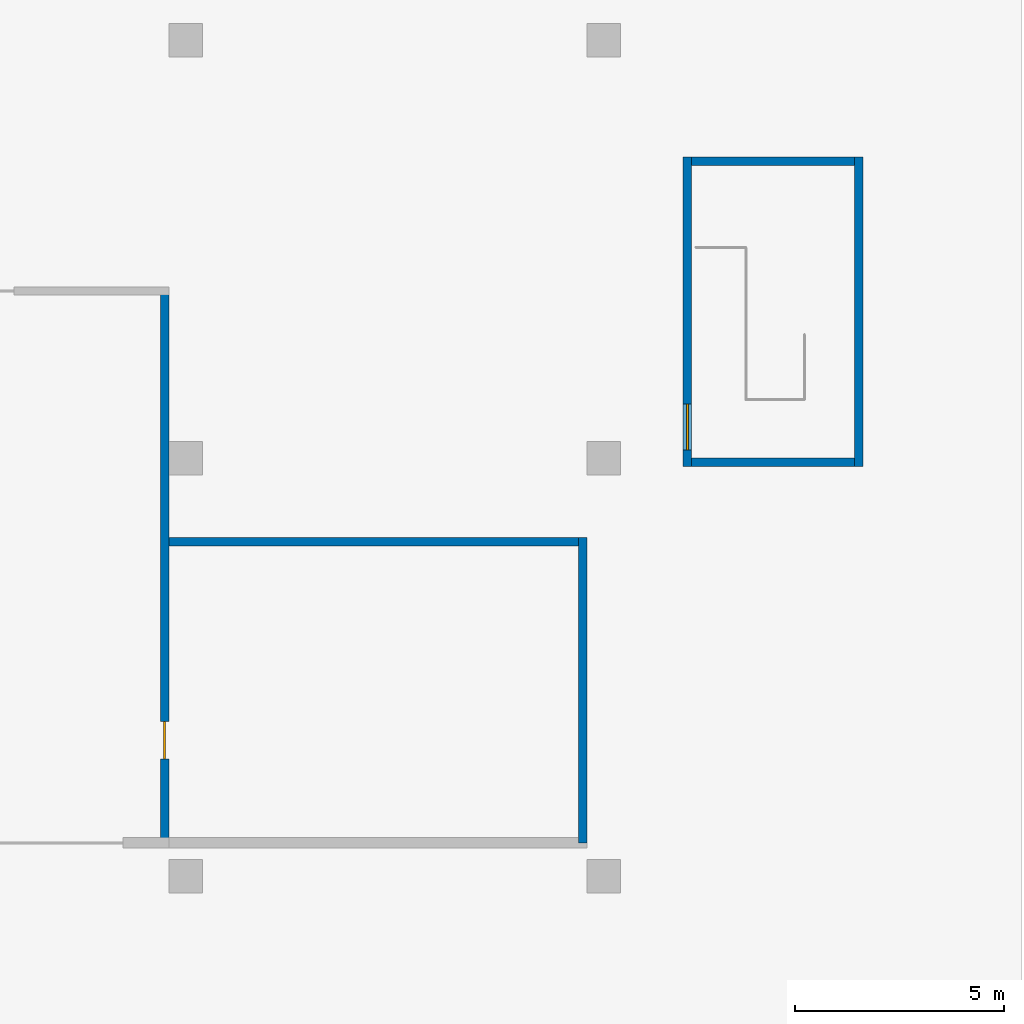
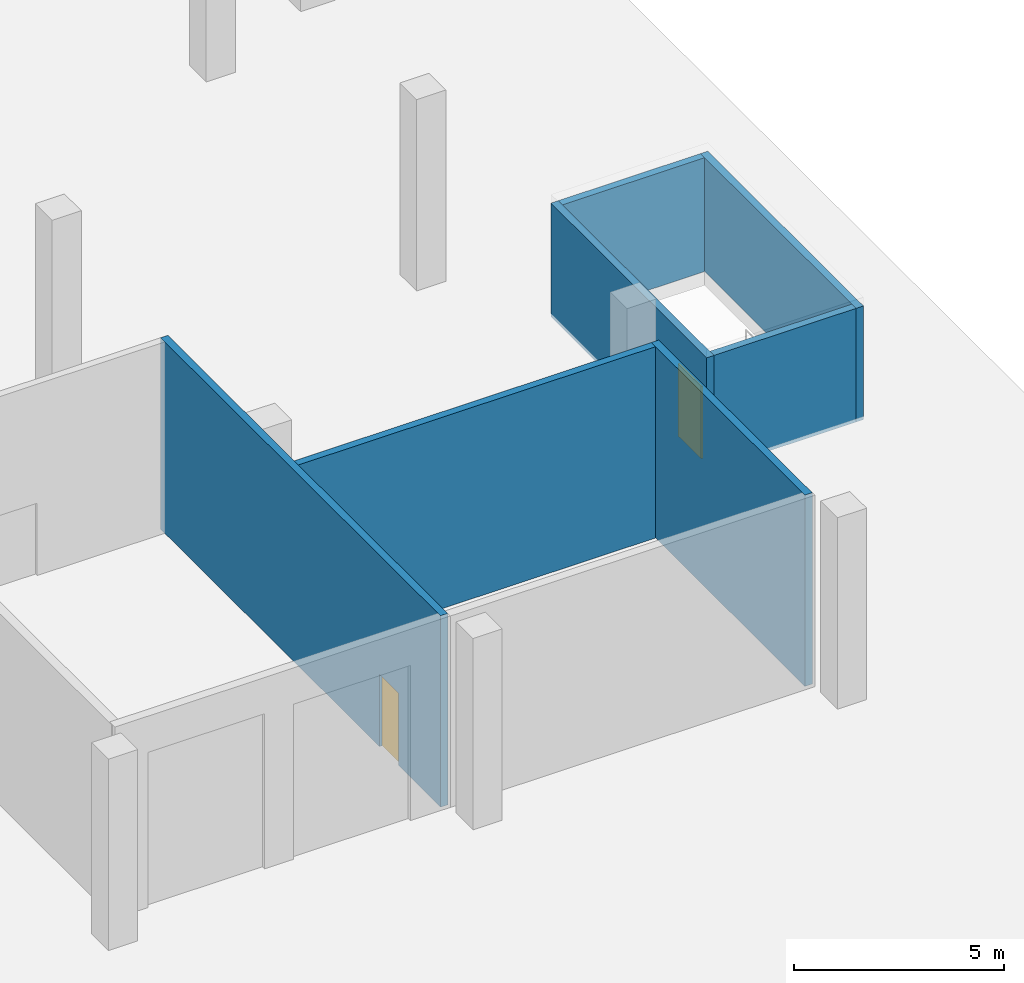
# One storey, part 11 of 21: 7 walls, 2 doors, 2 openings.
"""IFC4 building model written with IfcOpenShell, lengths in metres."""

from ifc_helpers import new_model, si_unit, direction, frame, frame_2d, origin, place, context, subcontext, project, spatial, rectangle, extrude, material, layer, layer_set, type_object, element, fill, save


model = new_model("IFC4")

# Units and contexts
model_context = context("Model", 3, precision=1e-05, world=origin(), true_north=direction((0.0, 1.0)))
body_context = subcontext(model_context, "Body", "Model", "MODEL_VIEW")
ifc_project = project(units=[si_unit("LENGTHUNIT", "METRE"), si_unit("AREAUNIT", "SQUARE_METRE"), si_unit("VOLUMEUNIT", "CUBIC_METRE"), si_unit("PLANEANGLEUNIT", "RADIAN"), si_unit("MASSUNIT", "GRAM", prefix="KILO")], contexts=[model_context])

# Site, building, storey
site_placement = place(None, origin())
site = spatial("IfcSite", under=ifc_project, at=site_placement, CompositionType="ELEMENT")
building_placement = place(site_placement, origin())
building = spatial("IfcBuilding", under=site, at=building_placement, Name="Qaws Garden Tower", CompositionType="ELEMENT")
storey_placement = place(building_placement, origin())
storey = spatial("IfcBuildingStorey", under=building, at=storey_placement, Name="L00", CompositionType="ELEMENT", Elevation=0.0)

# Wall, opening, door
ifc_material_1 = material(Name="Blockwork", Category="masonry")
ifc_layer_1 = layer(ifc_material_1, 0.199951171875)
ifc_layer_set_1 = layer_set([ifc_layer_1], Name="Blockwork")
wall_type_1 = type_object("IfcWallType", Name="Plant room wall 200", PredefinedType="PARTITIONING", material=ifc_layer_set_1)
wall_1_placement = place(storey_placement, frame((89.5, 30.800048828125, 0.0), z_axis=(0.0, 0.0, 1.0), x_axis=(0.0, 1.0, 0.0)))
wall_1 = element("IfcWall", 1, at=wall_1_placement, inside=storey, type_object=wall_type_1, Name="Loading bay east wall", PredefinedType="PARTITIONING", context=body_context, shape_type="SweptSolid", body=[
    extrude(rectangle(XDim=13.300048828125, YDim=0.199951171875, at=frame_2d((6.64990234375, 0.0))), origin(), (0.0, 0.0, 1.0), 5.550048828125),
])
opening_1_placement = place(wall_1_placement, frame((2.0, 0.0, 0.0)))
opening_1 = element("IfcOpeningElement", 2, at=opening_1_placement, cuts=wall_1, Name="Opening PD3-01", PredefinedType="OPENING", context=body_context, shape_type="SweptSolid", body=[
    extrude(rectangle(XDim=0.89990234375, YDim=2.10009765625, at=frame_2d((0.449951171875, 1.050048828125))), frame((0.0, 0.10986328125, 0.0), z_axis=(0.0, -1.0, 0.0), x_axis=(1.0, 0.0, 0.0)), (0.0, 0.0, 1.0), 0.219970703125),
])
ifc_material_2 = material(Name="Steel S235 framed door leaf", Category="steel")
door_type_1 = type_object("IfcDoorType", Name="Door D3 service 900", OperationType="SINGLE_SWING_LEFT", PredefinedType="DOOR", material=ifc_material_2)
door_1_placement = place(opening_1_placement, frame((0.89990234375, 0.0, 0.0), z_axis=(0.0, 0.0, 1.0), x_axis=(-1.0, 0.0, 0.0)))
door_1 = element("IfcDoor", 3, at=door_1_placement, inside=storey, type_object=door_type_1, Name="Refuse room door", OperationType="SINGLE_SWING_LEFT", OverallHeight=2.10009765625, OverallWidth=0.89990234375, PredefinedType="DOOR", context=body_context, shape_type="SweptSolid", body=[
    extrude(rectangle(XDim=0.89990234375, YDim=2.10009765625, at=frame_2d((0.449951171875, 1.050048828125))), frame((0.0, 0.02490234375, 0.0), z_axis=(0.0, -1.0, 0.0), x_axis=(1.0, 0.0, 0.0)), (0.0, 0.0, 1.0), 0.050048828125),
])
fill(opening_1, door_1)

# Walls
wall_2_placement = place(storey_placement, frame((99.5, 30.800048828125, 0.0), z_axis=(0.0, 0.0, 1.0), x_axis=(0.0, 1.0, 0.0)))
element("IfcWall", 4, at=wall_2_placement, inside=storey, type_object=wall_type_1, Name="Refuse room east wall", PredefinedType="PARTITIONING", context=body_context, shape_type="SweptSolid", body=[
    extrude(rectangle(XDim=7.300048828125, YDim=0.199951171875, at=frame_2d((3.64990234375, 0.0))), origin(), (0.0, 0.0, 1.0), 5.550048828125),
])
wall_3_placement = place(storey_placement, frame((89.60009765625, 38.0, 0.0), z_axis=(0.0, 0.0, 1.0), x_axis=(1.0, 0.0, 0.0)))
element("IfcWall", 5, at=wall_3_placement, inside=storey, type_object=wall_type_1, Name="Refuse room north wall", PredefinedType="PARTITIONING", context=body_context, shape_type="SweptSolid", body=[
    extrude(rectangle(XDim=9.7998046875, YDim=0.199951171875, at=frame_2d((4.89990234375, 0.0))), origin(), (0.0, 0.0, 1.0), 5.550048828125),
])

# Wall, opening, door
ifc_material_3 = material(Name="Concrete C40", Category="concrete")
ifc_layer_2 = layer(ifc_material_3, 0.199951171875)
ifc_layer_set_2 = layer_set([ifc_layer_2], Name="Concrete C40")
wall_type_2 = type_object("IfcWallType", Name="Stair enclosure wall 200", PredefinedType="SOLIDWALL", material=ifc_layer_set_2)
wall_4_placement = place(storey_placement, frame((102.0, 39.800048828125, -0.10009765625), z_axis=(0.0, 0.0, 1.0), x_axis=(0.0, 1.0, 0.0)))
wall_4 = element("IfcWall", 6, at=wall_4_placement, inside=storey, type_object=wall_type_2, Name="Stair E1 enclosure wall", PredefinedType="SOLIDWALL", context=body_context, shape_type="SweptSolid", body=[
    extrude(rectangle(XDim=7.39990234375, YDim=0.199951171875, at=frame_2d((3.699951171875, 0.0))), origin(), (0.0, 0.0, 1.0), 3.300048828125),
])
opening_2_placement = place(wall_4_placement, frame((0.39990234375, 0.0, 0.10009765625)))
opening_2 = element("IfcOpeningElement", 7, at=opening_2_placement, cuts=wall_4, Name="Opening PD4-03", PredefinedType="OPENING", context=body_context, shape_type="SweptSolid", body=[
    extrude(rectangle(XDim=1.10009765625, YDim=2.10009765625, at=frame_2d((0.550048828125, 1.050048828125))), frame((0.0, 0.10986328125, 0.0), z_axis=(0.0, -1.0, 0.0), x_axis=(1.0, 0.0, 0.0)), (0.0, 0.0, 1.0), 0.219970703125),
])
ifc_material_4 = material(Name="Steel S235 framed door leaf", Category="steel")
door_type_2 = type_object("IfcDoorType", Name="Door D4 fire stair 1100", OperationType="SINGLE_SWING_LEFT", PredefinedType="DOOR", material=ifc_material_4)
door_2_placement = place(opening_2_placement, origin())
door_2 = element("IfcDoor", 8, at=door_2_placement, inside=storey, type_object=door_type_2, Name="Exit stair door", OperationType="SINGLE_SWING_LEFT", OverallHeight=2.10009765625, OverallWidth=1.10009765625, PredefinedType="DOOR", context=body_context, shape_type="SweptSolid", body=[
    extrude(rectangle(XDim=1.10009765625, YDim=2.10009765625, at=frame_2d((0.550048828125, 1.050048828125))), frame((0.0, 0.02490234375, 0.0), z_axis=(0.0, -1.0, 0.0), x_axis=(1.0, 0.0, 0.0)), (0.0, 0.0, 1.0), 0.050048828125),
])
fill(opening_2, door_2)

# Walls
wall_5_placement = place(storey_placement, frame((106.10009765625, 39.800048828125, -0.10009765625), z_axis=(0.0, 0.0, 1.0), x_axis=(0.0, 1.0, 0.0)))
element("IfcWall", 9, at=wall_5_placement, inside=storey, type_object=wall_type_2, Name="Stair E1 enclosure wall", PredefinedType="SOLIDWALL", context=body_context, shape_type="SweptSolid", body=[
    extrude(rectangle(XDim=7.39990234375, YDim=0.199951171875, at=frame_2d((3.699951171875, 0.0))), origin(), (0.0, 0.0, 1.0), 3.300048828125),
])
for number, where, z_axis, x_axis, name in (
    (10, (102.10009765625, 39.89990234375, -0.10009765625), (0.0, 0.0, 1.0), (1.0, 0.0, 0.0), "Stair E1 enclosure wall"),
    (11, (102.10009765625, 47.10009765625, -0.10009765625), (0.0, 0.0, 1.0), (1.0, 0.0, 0.0), "Stair E1 enclosure wall"),
):
    element("IfcWall", number, at=place(storey_placement, frame(where, z_axis=z_axis, x_axis=x_axis)), inside=storey, type_object=wall_type_2, Name=name, PredefinedType="SOLIDWALL", context=body_context, shape_type="SweptSolid", body=[
        extrude(rectangle(XDim=3.89990234375, YDim=0.199951171875, at=frame_2d((1.949951171875, 0.0))), origin(), (0.0, 0.0, 1.0), 3.300048828125),
    ])

save(model, "model.ifc")
